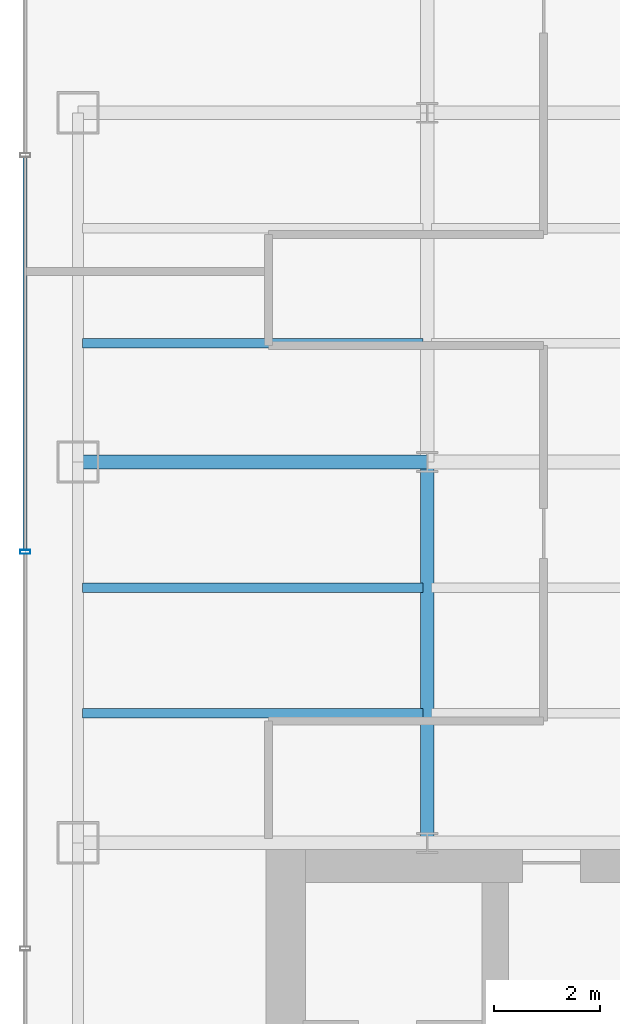
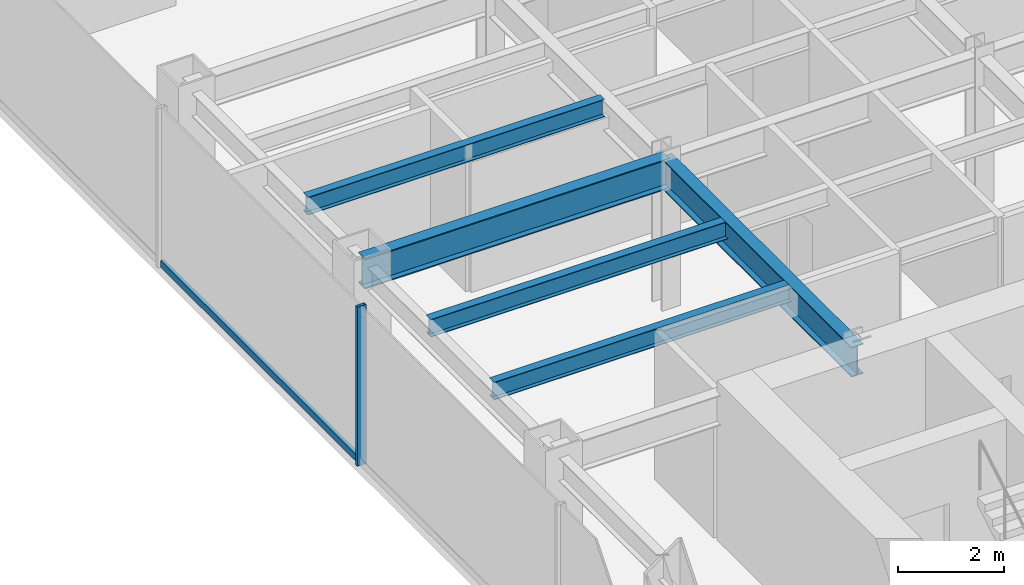
# One storey, part 4 of 26: 5 beams, 2 members, 1 element without a shape of its own.
"""IFC4 building model written with IfcOpenShell, lengths in metres."""

from ifc_helpers import new_model, si_unit, derived_unit, direction, frame, origin, origin_2d, place, context, subcontext, project, spatial, hollow_rectangle, i_section, extrude, source, transform, mapped, material, material_profile, profile_set, type_object, element, aggregate, save


model = new_model("IFC4")

# Units and contexts
model_context = context("Model", 3, precision=1e-05, world=origin(), true_north=direction((0.0, 1.0)))
body_context = subcontext(model_context, "Body", "Model", "MODEL_VIEW")
ifc_project = project(units=[si_unit("LENGTHUNIT", "METRE"), si_unit("AREAUNIT", "SQUARE_METRE"), si_unit("VOLUMEUNIT", "CUBIC_METRE"), si_unit("PLANEANGLEUNIT", "RADIAN"), si_unit("MASSUNIT", "GRAM", prefix="KILO"), derived_unit("THERMALTRANSMITTANCEUNIT", [(si_unit("POWERUNIT", "WATT"), 1), (si_unit("LENGTHUNIT", "METRE"), -2), (si_unit("THERMODYNAMICTEMPERATUREUNIT", "KELVIN"), -1)])], contexts=[model_context])

# Site, building, storey
site_placement = place(None, origin())
site = spatial("IfcSite", under=ifc_project, at=site_placement, CompositionType="ELEMENT")
building_placement = place(site_placement, origin())
building = spatial("IfcBuilding", under=site, at=building_placement, Name="Skarnbrae Concourse Arena and Tower", CompositionType="ELEMENT")
storey_placement = place(building_placement, frame((0.0, 0.0, 125.14990234375)))
storey = spatial("IfcBuildingStorey", under=building, at=storey_placement, Name="L31", CompositionType="ELEMENT", Elevation=125.14990234375)

# Beams
ifc_material_1 = material(Name="Steel CSA G40.21 350W", Category="steel")
ifc_material_profile_1 = material_profile(ifc_material_1, i_section(OverallWidth=0.256103515625, OverallDepth=0.693115234375, WebThickness=0.014404296875, FlangeThickness=0.023681640625, at=origin_2d()), Name="W690X170")
ifc_profile_set_1 = profile_set([ifc_material_profile_1], Name="Steel CSA G40.21 350W")
beam_type_1 = type_object("IfcBeamType", Name="BM-GIRD-W690X170", PredefinedType="BEAM", material=ifc_profile_set_1)
shared_shape_1 = source(origin(), body_context, "Body", "SweptSolid", [
    extrude(i_section(OverallWidth=0.256103515625, OverallDepth=0.693115234375, WebThickness=0.014404296875, FlangeThickness=0.023681640625, at=origin_2d()), origin(), (0.0, 0.0, 1.0), 6.60009765625),
])
beam_1_placement = place(storey_placement, frame((1.0, 21.199951171875, 3.0537109375), z_axis=(1.0, 0.0, 0.0), x_axis=(0.0, 1.0, 0.0)))
element("IfcBeam", 1, at=beam_1_placement, inside=storey, type_object=beam_type_1, Name="L31 Primary E-W girder Y21.2-1", PredefinedType="BEAM", context=body_context, shape_type="MappedRepresentation", body=[
    mapped(shared_shape_1, transform((0.0, 0.0, 0.0))),
])
shared_shape_2 = source(origin(), body_context, "Body", "SweptSolid", [
    extrude(i_section(OverallWidth=0.256103515625, OverallDepth=0.693115234375, WebThickness=0.014404296875, FlangeThickness=0.023681640625, at=origin_2d()), origin(), (0.0, 0.0, 1.0), 7.199951171875),
])
beam_2_placement = place(storey_placement, frame((7.60009765625, 14.0, 3.0537109375), z_axis=(0.0, 1.0, 0.0), x_axis=(-1.0, 0.0, 0.0)))
element("IfcBeam", 2, at=beam_2_placement, inside=storey, type_object=beam_type_1, Name="L31 Primary N-S girder X7.6-1", PredefinedType="BEAM", context=body_context, shape_type="MappedRepresentation", body=[
    mapped(shared_shape_2, transform((0.0, 0.0, 0.0))),
])
ifc_material_profile_2 = material_profile(ifc_material_1, i_section(OverallWidth=0.177978515625, OverallDepth=0.406982421875, WebThickness=0.0078125, FlangeThickness=0.0126953125, at=origin_2d()), Name="W410X60")
ifc_profile_set_2 = profile_set([ifc_material_profile_2], Name="Steel CSA G40.21 350W")
beam_type_2 = type_object("IfcBeamType", Name="BM-JOIST-W410X60", PredefinedType="JOIST", material=ifc_profile_set_2)
shared_shape_3 = source(origin(), body_context, "Body", "SweptSolid", [
    extrude(i_section(OverallWidth=0.177978515625, OverallDepth=0.406982421875, WebThickness=0.0078125, FlangeThickness=0.0126953125, at=origin_2d()), origin(), (0.0, 0.0, 1.0), 6.43994140625),
])
for number, where, z_axis, x_axis, name in (
    (3, (1.080078125, 16.447998046875, 3.196533203125), (1.0, 0.0, 0.0), (0.0, 1.0, 0.0), "L31 Secondary floor joist 1.1.1"),
    (4, (1.080078125, 18.823974609375, 3.196533203125), (1.0, 0.0, 0.0), (0.0, 1.0, 0.0), "L31 Secondary floor joist 1.2.1"),
    (5, (1.080078125, 23.444091796875, 3.196533203125), (1.0, 0.0, 0.0), (0.0, 1.0, 0.0), "L31 Secondary floor joist 2.1.1"),
):
    element("IfcBeam", number, at=place(storey_placement, frame(where, z_axis=z_axis, x_axis=x_axis)), inside=storey, type_object=beam_type_2, Name=name, PredefinedType="JOIST", context=body_context, shape_type="MappedRepresentation", body=[
        mapped(shared_shape_3, transform((0.0, 0.0, 0.0))),
    ])

# Curtain wall, members
ifc_material_2 = material(Name="Bronze anodised aluminium 6063-T6", Category="aluminium")
curtain_wall_type = type_object("IfcCurtainWallType", Name="CW-SYS-04-MIDZONE", PredefinedType="USERDEFINED", material=ifc_material_2)
curtain_wall_placement = place(storey_placement, origin())
curtain_wall = element("IfcCurtainWall", 6, at=curtain_wall_placement, inside=storey, type_object=curtain_wall_type, Name="L31 Unitised curtain wall CW-L31-E19", ObjectType="UNITISED CURTAIN WALL", PredefinedType="USERDEFINED")
ifc_material_profile_3 = material_profile(ifc_material_2, hollow_rectangle(XDim=0.074951171875, YDim=0.195068359375, WallThickness=0.00439453125, at=origin_2d()), Name="ALU-MULL-75X195")
ifc_profile_set_3 = profile_set([ifc_material_profile_3], Name="Bronze anodised aluminium 6063-T6")
member_type_1 = type_object("IfcMemberType", Name="CWM-CW-04", PredefinedType="MULLION", material=ifc_profile_set_3)
shared_shape_4 = source(origin(), body_context, "Body", "SweptSolid", [
    extrude(hollow_rectangle(XDim=0.074951171875, YDim=0.195068359375, WallThickness=0.00439453125, at=origin_2d()), origin(), (0.0, 0.0, 1.0), 3.650146484375),
])
member_1_placement = place(storey_placement, frame((0.0, 19.5, 0.0), z_axis=(0.0, 0.0, 1.0), x_axis=(0.0, -1.0, 0.0)))
member_1 = element("IfcMember", 7, at=member_1_placement, type_object=member_type_1, Name="CW-L31-E19 Mullion 3", PredefinedType="MULLION", context=body_context, shape_type="MappedRepresentation", body=[
    mapped(shared_shape_4, transform((0.0, 0.0, 0.0))),
])
ifc_material_profile_4 = material_profile(ifc_material_2, hollow_rectangle(XDim=0.074951171875, YDim=0.159912109375, WallThickness=0.00439453125, at=origin_2d()), Name="ALU-TRAN-75X160")
ifc_profile_set_4 = profile_set([ifc_material_profile_4], Name="Bronze anodised aluminium 6063-T6")
member_type_2 = type_object("IfcMemberType", Name="CWT-CW-04", PredefinedType="USERDEFINED", material=ifc_profile_set_4)
shared_shape_5 = source(origin(), body_context, "Body", "SweptSolid", [
    extrude(hollow_rectangle(XDim=0.074951171875, YDim=0.159912109375, WallThickness=0.00439453125, at=origin_2d()), origin(), (0.0, 0.0, 1.0), 7.4248046875),
])
member_2_placement = place(storey_placement, frame((0.0, 26.96240234375, 0.080078125), z_axis=(0.0, -1.0, 0.0), x_axis=(1.0, 0.0, 0.0)))
member_2 = element("IfcMember", 8, at=member_2_placement, type_object=member_type_2, Name="CW-L31-E19 Transom 2", ObjectType="TRANSOM", PredefinedType="USERDEFINED", context=body_context, shape_type="MappedRepresentation", body=[
    mapped(shared_shape_5, transform((0.0, 0.0, 0.0))),
])
aggregate(curtain_wall, [member_1, member_2])

save(model, "model.ifc")
